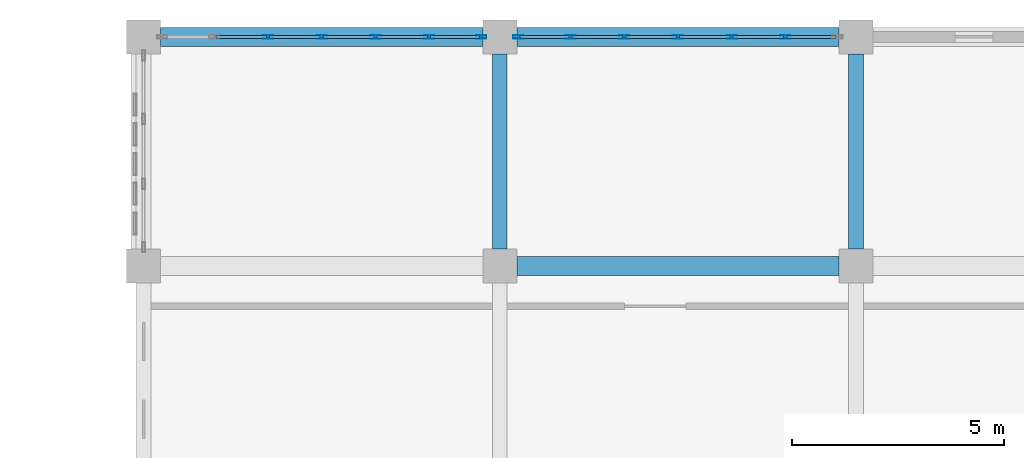
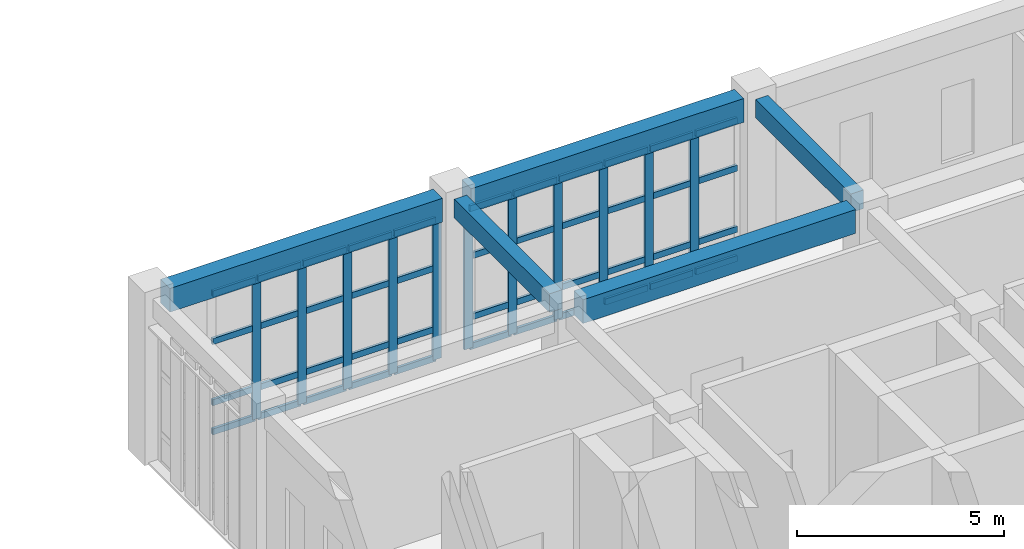
# One storey, part 40 of 77: 55 members, 5 beams, 2 elements without a shape of their own.
"""IFC4 building model written with IfcOpenShell, lengths in metres."""

from ifc_helpers import new_model, si_unit, direction, frame, origin, origin_2d, place, context, subcontext, project, spatial, rectangle, hollow_rectangle, extrude, material, layer, layer_set, material_profile, profile_set, type_object, element, aggregate, save


model = new_model("IFC4")

# Units and contexts
model_context = context("Model", 3, precision=1e-05, world=origin(), true_north=direction((0.0, 1.0)))
body_context = subcontext(model_context, "Body", "Model", "MODEL_VIEW")
ifc_project = project(units=[si_unit("LENGTHUNIT", "METRE"), si_unit("AREAUNIT", "SQUARE_METRE"), si_unit("VOLUMEUNIT", "CUBIC_METRE"), si_unit("PLANEANGLEUNIT", "RADIAN"), si_unit("MASSUNIT", "GRAM", prefix="KILO")], contexts=[model_context])

# Site, building, storey
site_placement = place(None, origin())
site = spatial("IfcSite", under=ifc_project, at=site_placement, CompositionType="ELEMENT")
building_placement = place(site_placement, origin())
building = spatial("IfcBuilding", under=site, at=building_placement, Name="Krzemoval Escarpment Law Courts", CompositionType="ELEMENT")
storey_placement = place(building_placement, frame((0.0, 0.0, 15.300048828125)))
storey = spatial("IfcBuildingStorey", under=building, at=storey_placement, Name="L03", CompositionType="ELEMENT", Elevation=15.300048828125)

# Beams
ifc_material_1 = material(Name="Concrete C40/50", Category="concrete")
ifc_material_profile_1 = material_profile(ifc_material_1, rectangle(XDim=0.35009765625, YDim=0.550048828125, at=origin_2d()), Name="RCB 350x550")
ifc_profile_set_1 = profile_set([ifc_material_profile_1], Name="Concrete C40/50")
beam_type_1 = type_object("IfcBeamType", Name="BM-RC-350x550", PredefinedType="BEAM", material=ifc_profile_set_1)
for number, where, z_axis, x_axis, name in (
    (1, (134.39990234375, 113.800048828125, 4.56494140625), (0.0, 1.0, 0.0), (-1.0, 0.0, 0.0), "Beam FG-L03-2325"),
    (2, (142.800048828125, 113.800048828125, 4.56494140625), (0.0, 1.0, 0.0), (-1.0, 0.0, 0.0), "Beam FG-L03-2336"),
):
    element("IfcBeam", number, at=place(storey_placement, frame(where, z_axis=z_axis, x_axis=x_axis)), inside=storey, type_object=beam_type_1, Name=name, PredefinedType="BEAM", context=body_context, shape_type="SweptSolid", body=[
        extrude(rectangle(XDim=0.35009765625, YDim=0.550048828125, at=origin_2d()), origin(), (0.0, 0.0, 1.0), 4.599853515625),
    ])
ifc_material_2 = material(Name="Concrete C40/50", Category="concrete")
ifc_material_profile_2 = material_profile(ifc_material_2, rectangle(XDim=0.449951171875, YDim=0.699951171875, at=origin_2d()), Name="RCB 450x700")
ifc_profile_set_2 = profile_set([ifc_material_profile_2], Name="Concrete C40/50")
beam_type_2 = type_object("IfcBeamType", Name="BM-RC-450x700", PredefinedType="BEAM", material=ifc_profile_set_2)
beam_1_placement = place(storey_placement, frame((134.800048828125, 113.39990234375, 4.489990234375), z_axis=(1.0, 0.0, 0.0), x_axis=(0.0, 1.0, 0.0)))
element("IfcBeam", 3, at=beam_1_placement, inside=storey, type_object=beam_type_2, Name="Beam FG-L03-2202", PredefinedType="BEAM", context=body_context, shape_type="SweptSolid", body=[
    extrude(rectangle(XDim=0.449951171875, YDim=0.699951171875, at=origin_2d()), origin(), (0.0, 0.0, 1.0), 7.599853515625),
])
beam_2_placement = place(storey_placement, frame((126.39990234375, 118.800048828125, 4.489990234375), z_axis=(1.0, 0.0, 0.0), x_axis=(0.0, 1.0, 0.0)))
element("IfcBeam", 4, at=beam_2_placement, inside=storey, type_object=beam_type_2, Name="Beam FG-L03-2208", PredefinedType="BEAM", context=body_context, shape_type="SweptSolid", body=[
    extrude(rectangle(XDim=0.449951171875, YDim=0.699951171875, at=origin_2d()), origin(), (0.0, 0.0, 1.0), 7.60009765625),
])
beam_3_placement = place(storey_placement, frame((134.800048828125, 118.800048828125, 4.489990234375), z_axis=(1.0, 0.0, 0.0), x_axis=(0.0, 1.0, 0.0)))
element("IfcBeam", 5, at=beam_3_placement, inside=storey, type_object=beam_type_2, Name="Beam FG-L03-2209", PredefinedType="BEAM", context=body_context, shape_type="SweptSolid", body=[
    extrude(rectangle(XDim=0.449951171875, YDim=0.699951171875, at=origin_2d()), origin(), (0.0, 0.0, 1.0), 7.599853515625),
])

# Curtain wall, members
ifc_material_3 = material(Name="Aluminium 6063-T6", Category="aluminium")
ifc_layer = layer(ifc_material_3, 0.239990234375)
ifc_layer_set = layer_set([ifc_layer], Name="Aluminium 6063-T6")
curtain_wall_type = type_object("IfcCurtainWallType", Name="CW-CHMB-4800", PredefinedType="USERDEFINED", material=ifc_layer_set)
curtain_wall_1_placement = place(storey_placement, origin())
curtain_wall_1 = element("IfcCurtainWall", 6, at=curtain_wall_1_placement, inside=storey, type_object=curtain_wall_type, Name="Unitised Curtain Wall FCW-L03-114", ObjectType="UNITISED_CURTAIN_WALL", PredefinedType="USERDEFINED")
ifc_material_4 = material(Name="Aluminium 6063-T6", Category="aluminium")
ifc_material_profile_3 = material_profile(ifc_material_4, hollow_rectangle(XDim=0.074951171875, YDim=0.239990234375, WallThickness=0.0048828125, at=origin_2d()), Name="ALU M75x240")
ifc_profile_set_3 = profile_set([ifc_material_profile_3], Name="Aluminium 6063-T6")
member_type_1 = type_object("IfcMemberType", Name="CWM-75x240", PredefinedType="MULLION", material=ifc_profile_set_3)
member_1_placement = place(storey_placement, frame((128.933349609375, 118.800048828125, 0.0), z_axis=(0.0, 0.0, 1.0), x_axis=(0.0, 1.0, 0.0)))
member_1 = element("IfcMember", 7, at=member_1_placement, type_object=member_type_1, Name="FCW-L03-114 mullion 3", PredefinedType="MULLION", context=body_context, shape_type="SweptSolid", body=[
    extrude(hollow_rectangle(XDim=0.074951171875, YDim=0.239990234375, WallThickness=0.0048828125, at=origin_2d()), origin(), (0.0, 0.0, 1.0), 4.139892578125),
])
member_2_placement = place(storey_placement, frame((130.199951171875, 118.800048828125, 0.0), z_axis=(0.0, 0.0, 1.0), x_axis=(0.0, 1.0, 0.0)))
member_2 = element("IfcMember", 8, at=member_2_placement, type_object=member_type_1, Name="FCW-L03-114 mullion 4", PredefinedType="MULLION", context=body_context, shape_type="SweptSolid", body=[
    extrude(hollow_rectangle(XDim=0.074951171875, YDim=0.239990234375, WallThickness=0.0048828125, at=origin_2d()), origin(), (0.0, 0.0, 1.0), 4.139892578125),
])
member_3_placement = place(storey_placement, frame((131.466552734375, 118.800048828125, 0.0), z_axis=(0.0, 0.0, 1.0), x_axis=(0.0, 1.0, 0.0)))
member_3 = element("IfcMember", 9, at=member_3_placement, type_object=member_type_1, Name="FCW-L03-114 mullion 5", PredefinedType="MULLION", context=body_context, shape_type="SweptSolid", body=[
    extrude(hollow_rectangle(XDim=0.074951171875, YDim=0.239990234375, WallThickness=0.0048828125, at=origin_2d()), origin(), (0.0, 0.0, 1.0), 4.139892578125),
])
member_4_placement = place(storey_placement, frame((132.7333984375, 118.800048828125, 0.0), z_axis=(0.0, 0.0, 1.0), x_axis=(0.0, 1.0, 0.0)))
member_4 = element("IfcMember", 10, at=member_4_placement, type_object=member_type_1, Name="FCW-L03-114 mullion 6", PredefinedType="MULLION", context=body_context, shape_type="SweptSolid", body=[
    extrude(hollow_rectangle(XDim=0.074951171875, YDim=0.239990234375, WallThickness=0.0048828125, at=origin_2d()), origin(), (0.0, 0.0, 1.0), 4.139892578125),
])
member_5_placement = place(storey_placement, frame((133.96240234375, 118.800048828125, 0.0), z_axis=(0.0, 0.0, 1.0), x_axis=(0.0, 1.0, 0.0)))
member_5 = element("IfcMember", 11, at=member_5_placement, type_object=member_type_1, Name="FCW-L03-114 mullion 7", PredefinedType="MULLION", context=body_context, shape_type="SweptSolid", body=[
    extrude(hollow_rectangle(XDim=0.074951171875, YDim=0.239990234375, WallThickness=0.0048828125, at=origin_2d()), origin(), (0.0, 0.0, 1.0), 4.139892578125),
])

curtain_wall_2_placement = place(storey_placement, origin())
curtain_wall_2 = element("IfcCurtainWall", 12, at=curtain_wall_2_placement, inside=storey, type_object=curtain_wall_type, Name="Unitised Curtain Wall FCW-L03-115", ObjectType="UNITISED_CURTAIN_WALL", PredefinedType="USERDEFINED")
member_6_placement = place(storey_placement, frame((134.83740234375, 118.800048828125, 0.0), z_axis=(0.0, 0.0, 1.0), x_axis=(0.0, 1.0, 0.0)))
member_6 = element("IfcMember", 13, at=member_6_placement, type_object=member_type_1, Name="FCW-L03-115 mullion 1", PredefinedType="MULLION", context=body_context, shape_type="SweptSolid", body=[
    extrude(hollow_rectangle(XDim=0.074951171875, YDim=0.239990234375, WallThickness=0.0048828125, at=origin_2d()), origin(), (0.0, 0.0, 1.0), 4.139892578125),
])
member_7_placement = place(storey_placement, frame((136.066650390625, 118.800048828125, 0.0), z_axis=(0.0, 0.0, 1.0), x_axis=(0.0, 1.0, 0.0)))
member_7 = element("IfcMember", 14, at=member_7_placement, type_object=member_type_1, Name="FCW-L03-115 mullion 2", PredefinedType="MULLION", context=body_context, shape_type="SweptSolid", body=[
    extrude(hollow_rectangle(XDim=0.074951171875, YDim=0.239990234375, WallThickness=0.0048828125, at=origin_2d()), origin(), (0.0, 0.0, 1.0), 4.139892578125),
])
member_8_placement = place(storey_placement, frame((137.333251953125, 118.800048828125, 0.0), z_axis=(0.0, 0.0, 1.0), x_axis=(0.0, 1.0, 0.0)))
member_8 = element("IfcMember", 15, at=member_8_placement, type_object=member_type_1, Name="FCW-L03-115 mullion 3", PredefinedType="MULLION", context=body_context, shape_type="SweptSolid", body=[
    extrude(hollow_rectangle(XDim=0.074951171875, YDim=0.239990234375, WallThickness=0.0048828125, at=origin_2d()), origin(), (0.0, 0.0, 1.0), 4.139892578125),
])
member_9_placement = place(storey_placement, frame((138.60009765625, 118.800048828125, 0.0), z_axis=(0.0, 0.0, 1.0), x_axis=(0.0, 1.0, 0.0)))
member_9 = element("IfcMember", 16, at=member_9_placement, type_object=member_type_1, Name="FCW-L03-115 mullion 4", PredefinedType="MULLION", context=body_context, shape_type="SweptSolid", body=[
    extrude(hollow_rectangle(XDim=0.074951171875, YDim=0.239990234375, WallThickness=0.0048828125, at=origin_2d()), origin(), (0.0, 0.0, 1.0), 4.139892578125),
])
member_10_placement = place(storey_placement, frame((139.86669921875, 118.800048828125, 0.0), z_axis=(0.0, 0.0, 1.0), x_axis=(0.0, 1.0, 0.0)))
member_10 = element("IfcMember", 17, at=member_10_placement, type_object=member_type_1, Name="FCW-L03-115 mullion 5", PredefinedType="MULLION", context=body_context, shape_type="SweptSolid", body=[
    extrude(hollow_rectangle(XDim=0.074951171875, YDim=0.239990234375, WallThickness=0.0048828125, at=origin_2d()), origin(), (0.0, 0.0, 1.0), 4.139892578125),
])
member_11_placement = place(storey_placement, frame((141.13330078125, 118.800048828125, 0.0), z_axis=(0.0, 0.0, 1.0), x_axis=(0.0, 1.0, 0.0)))
member_11 = element("IfcMember", 18, at=member_11_placement, type_object=member_type_1, Name="FCW-L03-115 mullion 6", PredefinedType="MULLION", context=body_context, shape_type="SweptSolid", body=[
    extrude(hollow_rectangle(XDim=0.074951171875, YDim=0.239990234375, WallThickness=0.0048828125, at=origin_2d()), origin(), (0.0, 0.0, 1.0), 4.139892578125),
])

# Member
ifc_material_5 = material(Name="Aluminium 6063-T6", Category="aluminium")
ifc_material_profile_4 = material_profile(ifc_material_5, hollow_rectangle(XDim=0.074951171875, YDim=0.179931640625, WallThickness=0.0048828125, at=origin_2d()), Name="ALU T75x180")
ifc_profile_set_4 = profile_set([ifc_material_profile_4], Name="Aluminium 6063-T6")
member_type_2 = type_object("IfcMemberType", Name="CWT-75x180", PredefinedType="USERDEFINED", material=ifc_profile_set_4)
member_12_placement = place(storey_placement, frame((127.7041015625, 118.800048828125, 0.037353515625), z_axis=(1.0, 0.0, 0.0), x_axis=(0.0, 1.0, 0.0)))
member_12 = element("IfcMember", 19, at=member_12_placement, type_object=member_type_2, Name="FCW-L03-114 transom 2.1", ObjectType="TRANSOM", PredefinedType="USERDEFINED", context=body_context, shape_type="SweptSolid", body=[
    extrude(hollow_rectangle(XDim=0.074951171875, YDim=0.179931640625, WallThickness=0.0048828125, at=origin_2d()), origin(), (0.0, 0.0, 1.0), 1.191650390625),
])

member_13_placement = place(storey_placement, frame((127.7041015625, 118.800048828125, 0.89990234375), z_axis=(1.0, 0.0, 0.0), x_axis=(0.0, 1.0, 0.0)))
member_13 = element("IfcMember", 20, at=member_13_placement, type_object=member_type_2, Name="FCW-L03-114 transom 2.2", ObjectType="TRANSOM", PredefinedType="USERDEFINED", context=body_context, shape_type="SweptSolid", body=[
    extrude(hollow_rectangle(XDim=0.074951171875, YDim=0.179931640625, WallThickness=0.0048828125, at=origin_2d()), origin(), (0.0, 0.0, 1.0), 1.191650390625),
])

member_14_placement = place(storey_placement, frame((127.7041015625, 118.800048828125, 2.699951171875), z_axis=(1.0, 0.0, 0.0), x_axis=(0.0, 1.0, 0.0)))
member_14 = element("IfcMember", 21, at=member_14_placement, type_object=member_type_2, Name="FCW-L03-114 transom 2.3", ObjectType="TRANSOM", PredefinedType="USERDEFINED", context=body_context, shape_type="SweptSolid", body=[
    extrude(hollow_rectangle(XDim=0.074951171875, YDim=0.179931640625, WallThickness=0.0048828125, at=origin_2d()), origin(), (0.0, 0.0, 1.0), 1.191650390625),
])

member_15_placement = place(storey_placement, frame((127.7041015625, 118.800048828125, 4.1025390625), z_axis=(1.0, 0.0, 0.0), x_axis=(0.0, 1.0, 0.0)))
member_15 = element("IfcMember", 22, at=member_15_placement, type_object=member_type_2, Name="FCW-L03-114 transom 2.4", ObjectType="TRANSOM", PredefinedType="USERDEFINED", context=body_context, shape_type="SweptSolid", body=[
    extrude(hollow_rectangle(XDim=0.074951171875, YDim=0.179931640625, WallThickness=0.0048828125, at=origin_2d()), origin(), (0.0, 0.0, 1.0), 1.191650390625),
])

member_16_placement = place(storey_placement, frame((128.970947265625, 118.800048828125, 0.037353515625), z_axis=(1.0, 0.0, 0.0), x_axis=(0.0, 1.0, 0.0)))
member_16 = element("IfcMember", 23, at=member_16_placement, type_object=member_type_2, Name="FCW-L03-114 transom 3.1", ObjectType="TRANSOM", PredefinedType="USERDEFINED", context=body_context, shape_type="SweptSolid", body=[
    extrude(hollow_rectangle(XDim=0.074951171875, YDim=0.179931640625, WallThickness=0.0048828125, at=origin_2d()), origin(), (0.0, 0.0, 1.0), 1.191650390625),
])

member_17_placement = place(storey_placement, frame((128.970947265625, 118.800048828125, 0.89990234375), z_axis=(1.0, 0.0, 0.0), x_axis=(0.0, 1.0, 0.0)))
member_17 = element("IfcMember", 24, at=member_17_placement, type_object=member_type_2, Name="FCW-L03-114 transom 3.2", ObjectType="TRANSOM", PredefinedType="USERDEFINED", context=body_context, shape_type="SweptSolid", body=[
    extrude(hollow_rectangle(XDim=0.074951171875, YDim=0.179931640625, WallThickness=0.0048828125, at=origin_2d()), origin(), (0.0, 0.0, 1.0), 1.191650390625),
])

member_18_placement = place(storey_placement, frame((128.970947265625, 118.800048828125, 2.699951171875), z_axis=(1.0, 0.0, 0.0), x_axis=(0.0, 1.0, 0.0)))
member_18 = element("IfcMember", 25, at=member_18_placement, type_object=member_type_2, Name="FCW-L03-114 transom 3.3", ObjectType="TRANSOM", PredefinedType="USERDEFINED", context=body_context, shape_type="SweptSolid", body=[
    extrude(hollow_rectangle(XDim=0.074951171875, YDim=0.179931640625, WallThickness=0.0048828125, at=origin_2d()), origin(), (0.0, 0.0, 1.0), 1.191650390625),
])

member_19_placement = place(storey_placement, frame((128.970947265625, 118.800048828125, 4.1025390625), z_axis=(1.0, 0.0, 0.0), x_axis=(0.0, 1.0, 0.0)))
member_19 = element("IfcMember", 26, at=member_19_placement, type_object=member_type_2, Name="FCW-L03-114 transom 3.4", ObjectType="TRANSOM", PredefinedType="USERDEFINED", context=body_context, shape_type="SweptSolid", body=[
    extrude(hollow_rectangle(XDim=0.074951171875, YDim=0.179931640625, WallThickness=0.0048828125, at=origin_2d()), origin(), (0.0, 0.0, 1.0), 1.191650390625),
])

member_20_placement = place(storey_placement, frame((130.237548828125, 118.800048828125, 0.037353515625), z_axis=(1.0, 0.0, 0.0), x_axis=(0.0, 1.0, 0.0)))
member_20 = element("IfcMember", 27, at=member_20_placement, type_object=member_type_2, Name="FCW-L03-114 transom 4.1", ObjectType="TRANSOM", PredefinedType="USERDEFINED", context=body_context, shape_type="SweptSolid", body=[
    extrude(hollow_rectangle(XDim=0.074951171875, YDim=0.179931640625, WallThickness=0.0048828125, at=origin_2d()), origin(), (0.0, 0.0, 1.0), 1.191650390625),
])

member_21_placement = place(storey_placement, frame((130.237548828125, 118.800048828125, 0.89990234375), z_axis=(1.0, 0.0, 0.0), x_axis=(0.0, 1.0, 0.0)))
member_21 = element("IfcMember", 28, at=member_21_placement, type_object=member_type_2, Name="FCW-L03-114 transom 4.2", ObjectType="TRANSOM", PredefinedType="USERDEFINED", context=body_context, shape_type="SweptSolid", body=[
    extrude(hollow_rectangle(XDim=0.074951171875, YDim=0.179931640625, WallThickness=0.0048828125, at=origin_2d()), origin(), (0.0, 0.0, 1.0), 1.191650390625),
])

member_22_placement = place(storey_placement, frame((130.237548828125, 118.800048828125, 2.699951171875), z_axis=(1.0, 0.0, 0.0), x_axis=(0.0, 1.0, 0.0)))
member_22 = element("IfcMember", 29, at=member_22_placement, type_object=member_type_2, Name="FCW-L03-114 transom 4.3", ObjectType="TRANSOM", PredefinedType="USERDEFINED", context=body_context, shape_type="SweptSolid", body=[
    extrude(hollow_rectangle(XDim=0.074951171875, YDim=0.179931640625, WallThickness=0.0048828125, at=origin_2d()), origin(), (0.0, 0.0, 1.0), 1.191650390625),
])

member_23_placement = place(storey_placement, frame((130.237548828125, 118.800048828125, 4.1025390625), z_axis=(1.0, 0.0, 0.0), x_axis=(0.0, 1.0, 0.0)))
member_23 = element("IfcMember", 30, at=member_23_placement, type_object=member_type_2, Name="FCW-L03-114 transom 4.4", ObjectType="TRANSOM", PredefinedType="USERDEFINED", context=body_context, shape_type="SweptSolid", body=[
    extrude(hollow_rectangle(XDim=0.074951171875, YDim=0.179931640625, WallThickness=0.0048828125, at=origin_2d()), origin(), (0.0, 0.0, 1.0), 1.191650390625),
])

member_24_placement = place(storey_placement, frame((131.504150390625, 118.800048828125, 0.037353515625), z_axis=(1.0, 0.0, 0.0), x_axis=(0.0, 1.0, 0.0)))
member_24 = element("IfcMember", 31, at=member_24_placement, type_object=member_type_2, Name="FCW-L03-114 transom 5.1", ObjectType="TRANSOM", PredefinedType="USERDEFINED", context=body_context, shape_type="SweptSolid", body=[
    extrude(hollow_rectangle(XDim=0.074951171875, YDim=0.179931640625, WallThickness=0.0048828125, at=origin_2d()), origin(), (0.0, 0.0, 1.0), 1.191650390625),
])

member_25_placement = place(storey_placement, frame((131.504150390625, 118.800048828125, 0.89990234375), z_axis=(1.0, 0.0, 0.0), x_axis=(0.0, 1.0, 0.0)))
member_25 = element("IfcMember", 32, at=member_25_placement, type_object=member_type_2, Name="FCW-L03-114 transom 5.2", ObjectType="TRANSOM", PredefinedType="USERDEFINED", context=body_context, shape_type="SweptSolid", body=[
    extrude(hollow_rectangle(XDim=0.074951171875, YDim=0.179931640625, WallThickness=0.0048828125, at=origin_2d()), origin(), (0.0, 0.0, 1.0), 1.191650390625),
])

member_26_placement = place(storey_placement, frame((131.504150390625, 118.800048828125, 2.699951171875), z_axis=(1.0, 0.0, 0.0), x_axis=(0.0, 1.0, 0.0)))
member_26 = element("IfcMember", 33, at=member_26_placement, type_object=member_type_2, Name="FCW-L03-114 transom 5.3", ObjectType="TRANSOM", PredefinedType="USERDEFINED", context=body_context, shape_type="SweptSolid", body=[
    extrude(hollow_rectangle(XDim=0.074951171875, YDim=0.179931640625, WallThickness=0.0048828125, at=origin_2d()), origin(), (0.0, 0.0, 1.0), 1.191650390625),
])

member_27_placement = place(storey_placement, frame((131.504150390625, 118.800048828125, 4.1025390625), z_axis=(1.0, 0.0, 0.0), x_axis=(0.0, 1.0, 0.0)))
member_27 = element("IfcMember", 34, at=member_27_placement, type_object=member_type_2, Name="FCW-L03-114 transom 5.4", ObjectType="TRANSOM", PredefinedType="USERDEFINED", context=body_context, shape_type="SweptSolid", body=[
    extrude(hollow_rectangle(XDim=0.074951171875, YDim=0.179931640625, WallThickness=0.0048828125, at=origin_2d()), origin(), (0.0, 0.0, 1.0), 1.191650390625),
])

member_28_placement = place(storey_placement, frame((132.770751953125, 118.800048828125, 0.037353515625), z_axis=(1.0, 0.0, 0.0), x_axis=(0.0, 1.0, 0.0)))
member_28 = element("IfcMember", 35, at=member_28_placement, type_object=member_type_2, Name="FCW-L03-114 transom 6.1", ObjectType="TRANSOM", PredefinedType="USERDEFINED", context=body_context, shape_type="SweptSolid", body=[
    extrude(hollow_rectangle(XDim=0.074951171875, YDim=0.179931640625, WallThickness=0.0048828125, at=origin_2d()), origin(), (0.0, 0.0, 1.0), 1.154296875),
])

member_29_placement = place(storey_placement, frame((132.770751953125, 118.800048828125, 0.89990234375), z_axis=(1.0, 0.0, 0.0), x_axis=(0.0, 1.0, 0.0)))
member_29 = element("IfcMember", 36, at=member_29_placement, type_object=member_type_2, Name="FCW-L03-114 transom 6.2", ObjectType="TRANSOM", PredefinedType="USERDEFINED", context=body_context, shape_type="SweptSolid", body=[
    extrude(hollow_rectangle(XDim=0.074951171875, YDim=0.179931640625, WallThickness=0.0048828125, at=origin_2d()), origin(), (0.0, 0.0, 1.0), 1.154296875),
])

member_30_placement = place(storey_placement, frame((132.770751953125, 118.800048828125, 2.699951171875), z_axis=(1.0, 0.0, 0.0), x_axis=(0.0, 1.0, 0.0)))
member_30 = element("IfcMember", 37, at=member_30_placement, type_object=member_type_2, Name="FCW-L03-114 transom 6.3", ObjectType="TRANSOM", PredefinedType="USERDEFINED", context=body_context, shape_type="SweptSolid", body=[
    extrude(hollow_rectangle(XDim=0.074951171875, YDim=0.179931640625, WallThickness=0.0048828125, at=origin_2d()), origin(), (0.0, 0.0, 1.0), 1.154296875),
])

member_31_placement = place(storey_placement, frame((132.770751953125, 118.800048828125, 4.1025390625), z_axis=(1.0, 0.0, 0.0), x_axis=(0.0, 1.0, 0.0)))
member_31 = element("IfcMember", 38, at=member_31_placement, type_object=member_type_2, Name="FCW-L03-114 transom 6.4", ObjectType="TRANSOM", PredefinedType="USERDEFINED", context=body_context, shape_type="SweptSolid", body=[
    extrude(hollow_rectangle(XDim=0.074951171875, YDim=0.179931640625, WallThickness=0.0048828125, at=origin_2d()), origin(), (0.0, 0.0, 1.0), 1.154296875),
])

aggregate(curtain_wall_1, [member_1, member_2, member_3, member_4, member_5, member_12, member_13, member_14, member_15, member_16, member_17, member_18, member_19, member_20, member_21, member_22, member_23, member_24, member_25, member_26, member_27, member_28, member_29, member_30, member_31])

member_32_placement = place(storey_placement, frame((134.875, 118.800048828125, 0.037353515625), z_axis=(1.0, 0.0, 0.0), x_axis=(0.0, 1.0, 0.0)))
member_32 = element("IfcMember", 39, at=member_32_placement, type_object=member_type_2, Name="FCW-L03-115 transom 1.1", ObjectType="TRANSOM", PredefinedType="USERDEFINED", context=body_context, shape_type="SweptSolid", body=[
    extrude(hollow_rectangle(XDim=0.074951171875, YDim=0.179931640625, WallThickness=0.0048828125, at=origin_2d()), origin(), (0.0, 0.0, 1.0), 1.154052734375),
])

member_33_placement = place(storey_placement, frame((134.875, 118.800048828125, 0.89990234375), z_axis=(1.0, 0.0, 0.0), x_axis=(0.0, 1.0, 0.0)))
member_33 = element("IfcMember", 40, at=member_33_placement, type_object=member_type_2, Name="FCW-L03-115 transom 1.2", ObjectType="TRANSOM", PredefinedType="USERDEFINED", context=body_context, shape_type="SweptSolid", body=[
    extrude(hollow_rectangle(XDim=0.074951171875, YDim=0.179931640625, WallThickness=0.0048828125, at=origin_2d()), origin(), (0.0, 0.0, 1.0), 1.154052734375),
])

member_34_placement = place(storey_placement, frame((134.875, 118.800048828125, 2.699951171875), z_axis=(1.0, 0.0, 0.0), x_axis=(0.0, 1.0, 0.0)))
member_34 = element("IfcMember", 41, at=member_34_placement, type_object=member_type_2, Name="FCW-L03-115 transom 1.3", ObjectType="TRANSOM", PredefinedType="USERDEFINED", context=body_context, shape_type="SweptSolid", body=[
    extrude(hollow_rectangle(XDim=0.074951171875, YDim=0.179931640625, WallThickness=0.0048828125, at=origin_2d()), origin(), (0.0, 0.0, 1.0), 1.154052734375),
])

member_35_placement = place(storey_placement, frame((134.875, 118.800048828125, 4.1025390625), z_axis=(1.0, 0.0, 0.0), x_axis=(0.0, 1.0, 0.0)))
member_35 = element("IfcMember", 42, at=member_35_placement, type_object=member_type_2, Name="FCW-L03-115 transom 1.4", ObjectType="TRANSOM", PredefinedType="USERDEFINED", context=body_context, shape_type="SweptSolid", body=[
    extrude(hollow_rectangle(XDim=0.074951171875, YDim=0.179931640625, WallThickness=0.0048828125, at=origin_2d()), origin(), (0.0, 0.0, 1.0), 1.154052734375),
])

member_36_placement = place(storey_placement, frame((136.104248046875, 118.800048828125, 0.037353515625), z_axis=(1.0, 0.0, 0.0), x_axis=(0.0, 1.0, 0.0)))
member_36 = element("IfcMember", 43, at=member_36_placement, type_object=member_type_2, Name="FCW-L03-115 transom 2.1", ObjectType="TRANSOM", PredefinedType="USERDEFINED", context=body_context, shape_type="SweptSolid", body=[
    extrude(hollow_rectangle(XDim=0.074951171875, YDim=0.179931640625, WallThickness=0.0048828125, at=origin_2d()), origin(), (0.0, 0.0, 1.0), 1.191650390625),
])

member_37_placement = place(storey_placement, frame((136.104248046875, 118.800048828125, 0.89990234375), z_axis=(1.0, 0.0, 0.0), x_axis=(0.0, 1.0, 0.0)))
member_37 = element("IfcMember", 44, at=member_37_placement, type_object=member_type_2, Name="FCW-L03-115 transom 2.2", ObjectType="TRANSOM", PredefinedType="USERDEFINED", context=body_context, shape_type="SweptSolid", body=[
    extrude(hollow_rectangle(XDim=0.074951171875, YDim=0.179931640625, WallThickness=0.0048828125, at=origin_2d()), origin(), (0.0, 0.0, 1.0), 1.191650390625),
])

member_38_placement = place(storey_placement, frame((136.104248046875, 118.800048828125, 2.699951171875), z_axis=(1.0, 0.0, 0.0), x_axis=(0.0, 1.0, 0.0)))
member_38 = element("IfcMember", 45, at=member_38_placement, type_object=member_type_2, Name="FCW-L03-115 transom 2.3", ObjectType="TRANSOM", PredefinedType="USERDEFINED", context=body_context, shape_type="SweptSolid", body=[
    extrude(hollow_rectangle(XDim=0.074951171875, YDim=0.179931640625, WallThickness=0.0048828125, at=origin_2d()), origin(), (0.0, 0.0, 1.0), 1.191650390625),
])

member_39_placement = place(storey_placement, frame((136.104248046875, 118.800048828125, 4.1025390625), z_axis=(1.0, 0.0, 0.0), x_axis=(0.0, 1.0, 0.0)))
member_39 = element("IfcMember", 46, at=member_39_placement, type_object=member_type_2, Name="FCW-L03-115 transom 2.4", ObjectType="TRANSOM", PredefinedType="USERDEFINED", context=body_context, shape_type="SweptSolid", body=[
    extrude(hollow_rectangle(XDim=0.074951171875, YDim=0.179931640625, WallThickness=0.0048828125, at=origin_2d()), origin(), (0.0, 0.0, 1.0), 1.191650390625),
])

member_40_placement = place(storey_placement, frame((137.370849609375, 118.800048828125, 0.037353515625), z_axis=(1.0, 0.0, 0.0), x_axis=(0.0, 1.0, 0.0)))
member_40 = element("IfcMember", 47, at=member_40_placement, type_object=member_type_2, Name="FCW-L03-115 transom 3.1", ObjectType="TRANSOM", PredefinedType="USERDEFINED", context=body_context, shape_type="SweptSolid", body=[
    extrude(hollow_rectangle(XDim=0.074951171875, YDim=0.179931640625, WallThickness=0.0048828125, at=origin_2d()), origin(), (0.0, 0.0, 1.0), 1.191650390625),
])

member_41_placement = place(storey_placement, frame((137.370849609375, 118.800048828125, 0.89990234375), z_axis=(1.0, 0.0, 0.0), x_axis=(0.0, 1.0, 0.0)))
member_41 = element("IfcMember", 48, at=member_41_placement, type_object=member_type_2, Name="FCW-L03-115 transom 3.2", ObjectType="TRANSOM", PredefinedType="USERDEFINED", context=body_context, shape_type="SweptSolid", body=[
    extrude(hollow_rectangle(XDim=0.074951171875, YDim=0.179931640625, WallThickness=0.0048828125, at=origin_2d()), origin(), (0.0, 0.0, 1.0), 1.191650390625),
])

member_42_placement = place(storey_placement, frame((137.370849609375, 118.800048828125, 2.699951171875), z_axis=(1.0, 0.0, 0.0), x_axis=(0.0, 1.0, 0.0)))
member_42 = element("IfcMember", 49, at=member_42_placement, type_object=member_type_2, Name="FCW-L03-115 transom 3.3", ObjectType="TRANSOM", PredefinedType="USERDEFINED", context=body_context, shape_type="SweptSolid", body=[
    extrude(hollow_rectangle(XDim=0.074951171875, YDim=0.179931640625, WallThickness=0.0048828125, at=origin_2d()), origin(), (0.0, 0.0, 1.0), 1.191650390625),
])

member_43_placement = place(storey_placement, frame((137.370849609375, 118.800048828125, 4.1025390625), z_axis=(1.0, 0.0, 0.0), x_axis=(0.0, 1.0, 0.0)))
member_43 = element("IfcMember", 50, at=member_43_placement, type_object=member_type_2, Name="FCW-L03-115 transom 3.4", ObjectType="TRANSOM", PredefinedType="USERDEFINED", context=body_context, shape_type="SweptSolid", body=[
    extrude(hollow_rectangle(XDim=0.074951171875, YDim=0.179931640625, WallThickness=0.0048828125, at=origin_2d()), origin(), (0.0, 0.0, 1.0), 1.191650390625),
])

member_44_placement = place(storey_placement, frame((138.637451171875, 118.800048828125, 0.037353515625), z_axis=(1.0, 0.0, 0.0), x_axis=(0.0, 1.0, 0.0)))
member_44 = element("IfcMember", 51, at=member_44_placement, type_object=member_type_2, Name="FCW-L03-115 transom 4.1", ObjectType="TRANSOM", PredefinedType="USERDEFINED", context=body_context, shape_type="SweptSolid", body=[
    extrude(hollow_rectangle(XDim=0.074951171875, YDim=0.179931640625, WallThickness=0.0048828125, at=origin_2d()), origin(), (0.0, 0.0, 1.0), 1.191650390625),
])

member_45_placement = place(storey_placement, frame((138.637451171875, 118.800048828125, 0.89990234375), z_axis=(1.0, 0.0, 0.0), x_axis=(0.0, 1.0, 0.0)))
member_45 = element("IfcMember", 52, at=member_45_placement, type_object=member_type_2, Name="FCW-L03-115 transom 4.2", ObjectType="TRANSOM", PredefinedType="USERDEFINED", context=body_context, shape_type="SweptSolid", body=[
    extrude(hollow_rectangle(XDim=0.074951171875, YDim=0.179931640625, WallThickness=0.0048828125, at=origin_2d()), origin(), (0.0, 0.0, 1.0), 1.191650390625),
])

member_46_placement = place(storey_placement, frame((138.637451171875, 118.800048828125, 2.699951171875), z_axis=(1.0, 0.0, 0.0), x_axis=(0.0, 1.0, 0.0)))
member_46 = element("IfcMember", 53, at=member_46_placement, type_object=member_type_2, Name="FCW-L03-115 transom 4.3", ObjectType="TRANSOM", PredefinedType="USERDEFINED", context=body_context, shape_type="SweptSolid", body=[
    extrude(hollow_rectangle(XDim=0.074951171875, YDim=0.179931640625, WallThickness=0.0048828125, at=origin_2d()), origin(), (0.0, 0.0, 1.0), 1.191650390625),
])

member_47_placement = place(storey_placement, frame((138.637451171875, 118.800048828125, 4.1025390625), z_axis=(1.0, 0.0, 0.0), x_axis=(0.0, 1.0, 0.0)))
member_47 = element("IfcMember", 54, at=member_47_placement, type_object=member_type_2, Name="FCW-L03-115 transom 4.4", ObjectType="TRANSOM", PredefinedType="USERDEFINED", context=body_context, shape_type="SweptSolid", body=[
    extrude(hollow_rectangle(XDim=0.074951171875, YDim=0.179931640625, WallThickness=0.0048828125, at=origin_2d()), origin(), (0.0, 0.0, 1.0), 1.191650390625),
])

member_48_placement = place(storey_placement, frame((139.904052734375, 118.800048828125, 0.037353515625), z_axis=(1.0, 0.0, 0.0), x_axis=(0.0, 1.0, 0.0)))
member_48 = element("IfcMember", 55, at=member_48_placement, type_object=member_type_2, Name="FCW-L03-115 transom 5.1", ObjectType="TRANSOM", PredefinedType="USERDEFINED", context=body_context, shape_type="SweptSolid", body=[
    extrude(hollow_rectangle(XDim=0.074951171875, YDim=0.179931640625, WallThickness=0.0048828125, at=origin_2d()), origin(), (0.0, 0.0, 1.0), 1.19189453125),
])

member_49_placement = place(storey_placement, frame((139.904052734375, 118.800048828125, 0.89990234375), z_axis=(1.0, 0.0, 0.0), x_axis=(0.0, 1.0, 0.0)))
member_49 = element("IfcMember", 56, at=member_49_placement, type_object=member_type_2, Name="FCW-L03-115 transom 5.2", ObjectType="TRANSOM", PredefinedType="USERDEFINED", context=body_context, shape_type="SweptSolid", body=[
    extrude(hollow_rectangle(XDim=0.074951171875, YDim=0.179931640625, WallThickness=0.0048828125, at=origin_2d()), origin(), (0.0, 0.0, 1.0), 1.19189453125),
])

member_50_placement = place(storey_placement, frame((139.904052734375, 118.800048828125, 2.699951171875), z_axis=(1.0, 0.0, 0.0), x_axis=(0.0, 1.0, 0.0)))
member_50 = element("IfcMember", 57, at=member_50_placement, type_object=member_type_2, Name="FCW-L03-115 transom 5.3", ObjectType="TRANSOM", PredefinedType="USERDEFINED", context=body_context, shape_type="SweptSolid", body=[
    extrude(hollow_rectangle(XDim=0.074951171875, YDim=0.179931640625, WallThickness=0.0048828125, at=origin_2d()), origin(), (0.0, 0.0, 1.0), 1.19189453125),
])

member_51_placement = place(storey_placement, frame((139.904052734375, 118.800048828125, 4.1025390625), z_axis=(1.0, 0.0, 0.0), x_axis=(0.0, 1.0, 0.0)))
member_51 = element("IfcMember", 58, at=member_51_placement, type_object=member_type_2, Name="FCW-L03-115 transom 5.4", ObjectType="TRANSOM", PredefinedType="USERDEFINED", context=body_context, shape_type="SweptSolid", body=[
    extrude(hollow_rectangle(XDim=0.074951171875, YDim=0.179931640625, WallThickness=0.0048828125, at=origin_2d()), origin(), (0.0, 0.0, 1.0), 1.19189453125),
])

member_52_placement = place(storey_placement, frame((141.1708984375, 118.800048828125, 0.037353515625), z_axis=(1.0, 0.0, 0.0), x_axis=(0.0, 1.0, 0.0)))
member_52 = element("IfcMember", 59, at=member_52_placement, type_object=member_type_2, Name="FCW-L03-115 transom 6.1", ObjectType="TRANSOM", PredefinedType="USERDEFINED", context=body_context, shape_type="SweptSolid", body=[
    extrude(hollow_rectangle(XDim=0.074951171875, YDim=0.179931640625, WallThickness=0.0048828125, at=origin_2d()), origin(), (0.0, 0.0, 1.0), 1.154052734375),
])

member_53_placement = place(storey_placement, frame((141.1708984375, 118.800048828125, 0.89990234375), z_axis=(1.0, 0.0, 0.0), x_axis=(0.0, 1.0, 0.0)))
member_53 = element("IfcMember", 60, at=member_53_placement, type_object=member_type_2, Name="FCW-L03-115 transom 6.2", ObjectType="TRANSOM", PredefinedType="USERDEFINED", context=body_context, shape_type="SweptSolid", body=[
    extrude(hollow_rectangle(XDim=0.074951171875, YDim=0.179931640625, WallThickness=0.0048828125, at=origin_2d()), origin(), (0.0, 0.0, 1.0), 1.154052734375),
])

member_54_placement = place(storey_placement, frame((141.1708984375, 118.800048828125, 2.699951171875), z_axis=(1.0, 0.0, 0.0), x_axis=(0.0, 1.0, 0.0)))
member_54 = element("IfcMember", 61, at=member_54_placement, type_object=member_type_2, Name="FCW-L03-115 transom 6.3", ObjectType="TRANSOM", PredefinedType="USERDEFINED", context=body_context, shape_type="SweptSolid", body=[
    extrude(hollow_rectangle(XDim=0.074951171875, YDim=0.179931640625, WallThickness=0.0048828125, at=origin_2d()), origin(), (0.0, 0.0, 1.0), 1.154052734375),
])

member_55_placement = place(storey_placement, frame((141.1708984375, 118.800048828125, 4.1025390625), z_axis=(1.0, 0.0, 0.0), x_axis=(0.0, 1.0, 0.0)))
member_55 = element("IfcMember", 62, at=member_55_placement, type_object=member_type_2, Name="FCW-L03-115 transom 6.4", ObjectType="TRANSOM", PredefinedType="USERDEFINED", context=body_context, shape_type="SweptSolid", body=[
    extrude(hollow_rectangle(XDim=0.074951171875, YDim=0.179931640625, WallThickness=0.0048828125, at=origin_2d()), origin(), (0.0, 0.0, 1.0), 1.154052734375),
])

aggregate(curtain_wall_2, [member_6, member_7, member_8, member_9, member_10, member_11, member_32, member_33, member_34, member_35, member_36, member_37, member_38, member_39, member_40, member_41, member_42, member_43, member_44, member_45, member_46, member_47, member_48, member_49, member_50, member_51, member_52, member_53, member_54, member_55])

save(model, "model.ifc")
